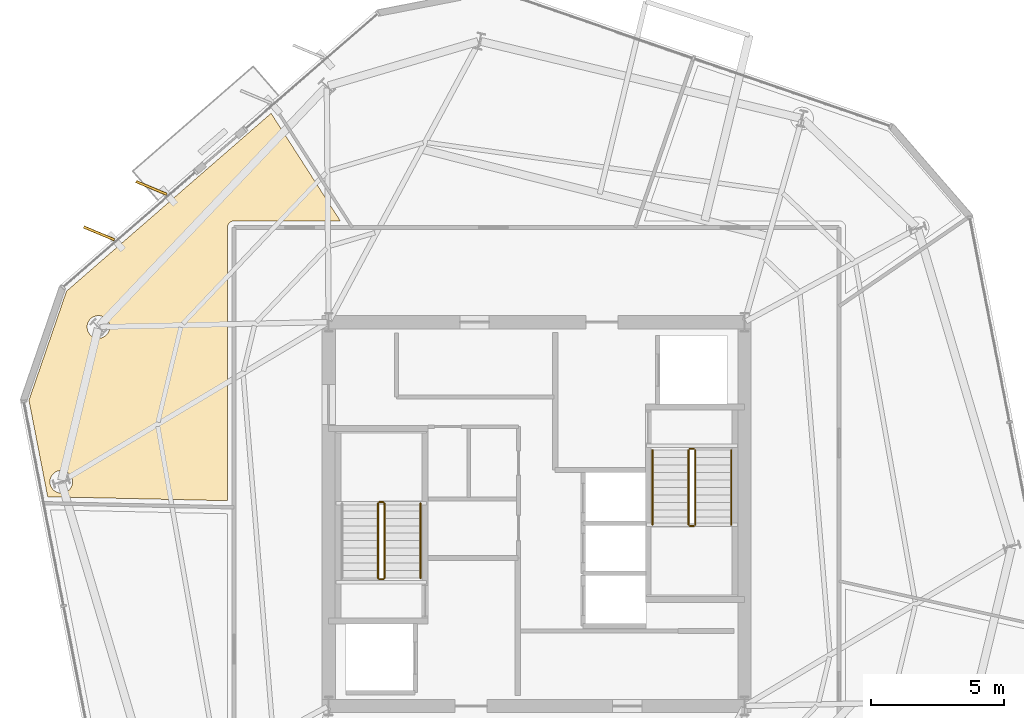
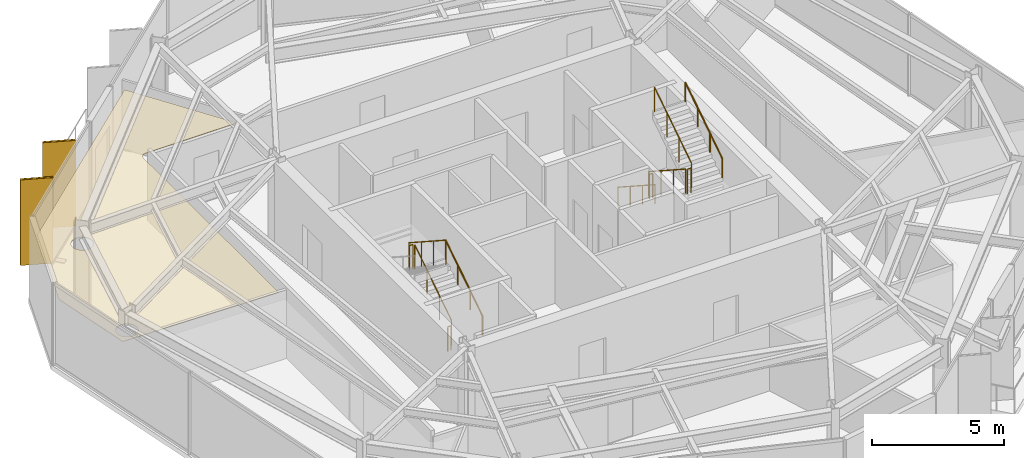
# One storey, part 10 of 11: 11 railings, 3 coverings, 2 shading devices.
"""IFC4 building model written with IfcOpenShell, lengths in metres."""

from ifc_helpers import new_model, si_unit, direction, frame, origin, origin_2d, place, context, subcontext, project, spatial, polyline, rectangle, circle, outline, extrude, material, layer, layer_set, type_object, element, save


model = new_model("IFC4")

# Units and contexts
model_context = context("Model", 3, precision=1e-05, world=origin(), true_north=direction((0.0, 1.0)))
body_context = subcontext(model_context, "Body", "Model", "MODEL_VIEW")
ifc_project = project(units=[si_unit("LENGTHUNIT", "METRE"), si_unit("AREAUNIT", "SQUARE_METRE"), si_unit("VOLUMEUNIT", "CUBIC_METRE"), si_unit("PLANEANGLEUNIT", "RADIAN"), si_unit("MASSUNIT", "GRAM", prefix="KILO")], contexts=[model_context])

# Site, building, storey
site_placement = place(None, origin())
site = spatial("IfcSite", under=ifc_project, at=site_placement, CompositionType="ELEMENT")
building_placement = place(site_placement, origin())
building = spatial("IfcBuilding", under=site, at=building_placement, Name="Kranzbogen Civic Tower", CompositionType="ELEMENT")
storey_placement = place(building_placement, frame((0.0, 0.0, 188.800048828125)))
storey = spatial("IfcBuildingStorey", under=building, at=storey_placement, Name="L45", CompositionType="ELEMENT", Elevation=188.800048828125)

# Coverings
ifc_material_1 = material(Name="Pale Anodised Aluminium", Category="aluminium")
ifc_layer_1 = layer(ifc_material_1, 0.02490234375, Name="Pale Anodised Aluminium")
ifc_layer_set_1 = layer_set([ifc_layer_1], Name="Pale Anodised Aluminium")
covering_type_1 = type_object("IfcCoveringType", Name="Anodised Aluminium Vertical Fin Cladding 25 mm", PredefinedType="CLADDING", material=ifc_layer_set_1)
for number, where, z_axis, x_axis, name in (
    (1, (10.553955078125, 37.23291015625, -0.14013671875), (0.0, 0.0, 1.0), (-0.922544824647, 0.385889940938, 0.0), "L45 vertical fin pale-metal cladding F2-4"),
    (2, (8.591064453125, 35.527099609375, -0.14013671875), (0.0, 0.0, 1.0), (-0.922544824647, 0.385889940938, 0.0), "L45 vertical fin pale-metal cladding F2-5"),
):
    element("IfcCovering", number, at=place(storey_placement, frame(where, z_axis=z_axis, x_axis=x_axis)), inside=storey, type_object=covering_type_1, Name=name, PredefinedType="CLADDING", context=body_context, shape_type="SweptSolid", body=[
        extrude(rectangle(XDim=1.25, YDim=0.10009765625, at=origin_2d()), origin(), (0.0, 0.0, 1.0), 3.9599609375),
    ])

# Shading devices
ifc_material_2 = material(Name="Anodised Bronze Aluminium", Category="aluminium")
shading_device_type = type_object("IfcShadingDeviceType", Name="Anodised Bronze Vertical Facade Fin 1250x80", PredefinedType="USERDEFINED", material=ifc_material_2)
for number, where, z_axis, x_axis, name in (
    (3, (10.553955078125, 37.23291015625, -0.14013671875), (0.0, 0.0, 1.0), (-0.922544824647, 0.385889940938, 0.0), "L45 vertical exterior shading fin F2-4"),
    (4, (8.591064453125, 35.527099609375, -0.14013671875), (0.0, 0.0, 1.0), (-0.922544824647, 0.385889940938, 0.0), "L45 vertical exterior shading fin F2-5"),
):
    element("IfcShadingDevice", number, at=place(storey_placement, frame(where, z_axis=z_axis, x_axis=x_axis)), inside=storey, type_object=shading_device_type, Name=name, ObjectType="FIN", PredefinedType="USERDEFINED", context=body_context, shape_type="SweptSolid", body=[
        extrude(rectangle(XDim=1.25, YDim=0.080078125, at=origin_2d()), origin(), (0.0, 0.0, 1.0), 3.9599609375),
    ])

# Railings
ifc_material_3 = material(Name="Steel S355", Category="steel")
railing_type_1 = type_object("IfcRailingType", Name="Internal Stair and Void Steel Guardrail 1150", PredefinedType="GUARDRAIL", material=ifc_material_3)
railing_1_placement = place(storey_placement, frame((19.300048828125, 22.60009765625, 0.181884765625)))
element("IfcRailing", 5, at=railing_1_placement, inside=storey, type_object=railing_type_1, Name="L45 ST-T1 stair guard 1", PredefinedType="GUARDRAIL", context=body_context, shape_type="SweptSolid", body=[
    extrude(circle(Radius=0.02392578125, at=origin_2d()), frame((0.0, 0.0, 1.1259765625), z_axis=(0.0, 0.83868413941, 0.544618136222), x_axis=(-1.0, 0.0, 0.0)), (0.0, 0.0, 1.0), 3.33837890625),
    extrude(circle(Radius=0.02099609375, at=origin_2d()), origin(), (0.0, 0.0, 1.0), 1.101806640625),
    extrude(circle(Radius=0.02099609375, at=origin_2d()), frame((0.0, 0.933349609375, 0.60595703125)), (0.0, 0.0, 1.0), 1.101806640625),
    extrude(circle(Radius=0.02099609375, at=origin_2d()), frame((0.0, 1.866455078125, 1.212158203125)), (0.0, 0.0, 1.0), 1.101806640625),
    extrude(circle(Radius=0.02099609375, at=origin_2d()), frame((0.0, 2.7998046875, 1.818115234375)), (0.0, 0.0, 1.0), 1.101806640625),
])
railing_2_placement = place(storey_placement, frame((19.25, 25.449951171875, 2.0)))
element("IfcRailing", 6, at=railing_2_placement, inside=storey, type_object=railing_type_1, Name="L45 ST-T1 stair guard 2", PredefinedType="GUARDRAIL", context=body_context, shape_type="SweptSolid", body=[
    extrude(circle(Radius=0.02392578125, at=origin_2d()), frame((0.0, 0.0, 1.1259765625), z_axis=(-1.0, 0.0, 0.0), x_axis=(0.0, -1.0, 0.0)), (0.0, 0.0, 1.0), 0.14990234375),
    extrude(circle(Radius=0.02099609375, at=origin_2d()), origin(), (0.0, 0.0, 1.0), 1.101806640625),
    extrude(circle(Radius=0.02099609375, at=origin_2d()), frame((-0.14990234375, 0.0, 0.0)), (0.0, 0.0, 1.0), 1.101806640625),
])
railing_3_placement = place(storey_placement, frame((19.050048828125, 25.39990234375, 2.181884765625)))
element("IfcRailing", 7, at=railing_3_placement, inside=storey, type_object=railing_type_1, Name="L45 ST-T1 stair guard 3", PredefinedType="GUARDRAIL", context=body_context, shape_type="SweptSolid", body=[
    extrude(circle(Radius=0.02392578125, at=origin_2d()), frame((0.0, 0.0, 1.1259765625), z_axis=(0.0, -0.83868413941, 0.544618136222), x_axis=(1.0, 0.0, 0.0)), (0.0, 0.0, 1.0), 3.33837890625),
    extrude(circle(Radius=0.02099609375, at=origin_2d()), origin(), (0.0, 0.0, 1.0), 1.101806640625),
    extrude(circle(Radius=0.02099609375, at=origin_2d()), frame((0.0, -0.933349609375, 0.60595703125)), (0.0, 0.0, 1.0), 1.101806640625),
    extrude(circle(Radius=0.02099609375, at=origin_2d()), frame((0.0, -1.866455078125, 1.212158203125)), (0.0, 0.0, 1.0), 1.101806640625),
    extrude(circle(Radius=0.02099609375, at=origin_2d()), frame((0.0, -2.7998046875, 1.818115234375)), (0.0, 0.0, 1.0), 1.101806640625),
])
railing_4_placement = place(storey_placement, frame((19.25, 22.550048828125, 0.0)))
element("IfcRailing", 8, at=railing_4_placement, inside=storey, type_object=railing_type_1, Name="L45 ST-T1 stair guard 4", PredefinedType="GUARDRAIL", context=body_context, shape_type="SweptSolid", body=[
    extrude(circle(Radius=0.02392578125, at=origin_2d()), frame((0.0, 0.0, 1.1259765625), z_axis=(-1.0, 0.0, 0.0), x_axis=(0.0, -1.0, 0.0)), (0.0, 0.0, 1.0), 0.14990234375),
    extrude(circle(Radius=0.02099609375, at=origin_2d()), origin(), (0.0, 0.0, 1.0), 1.101806640625),
    extrude(circle(Radius=0.02099609375, at=origin_2d()), frame((-0.14990234375, 0.0, 0.0)), (0.0, 0.0, 1.0), 1.101806640625),
])
railing_5_placement = place(storey_placement, frame((30.699951171875, 27.39990234375, 0.181884765625)))
element("IfcRailing", 9, at=railing_5_placement, inside=storey, type_object=railing_type_1, Name="L45 ST-T2 stair guard 1", PredefinedType="GUARDRAIL", context=body_context, shape_type="SweptSolid", body=[
    extrude(circle(Radius=0.02392578125, at=origin_2d()), frame((0.0, 0.0, 1.1259765625), z_axis=(0.0, -0.83868413941, 0.544618136222), x_axis=(1.0, 0.0, 0.0)), (0.0, 0.0, 1.0), 3.33837890625),
    extrude(circle(Radius=0.02099609375, at=origin_2d()), origin(), (0.0, 0.0, 1.0), 1.101806640625),
    extrude(circle(Radius=0.02099609375, at=origin_2d()), frame((0.0, -0.933349609375, 0.60595703125)), (0.0, 0.0, 1.0), 1.101806640625),
    extrude(circle(Radius=0.02099609375, at=origin_2d()), frame((0.0, -1.866455078125, 1.212158203125)), (0.0, 0.0, 1.0), 1.101806640625),
    extrude(circle(Radius=0.02099609375, at=origin_2d()), frame((0.0, -2.7998046875, 1.818115234375)), (0.0, 0.0, 1.0), 1.101806640625),
])
railing_6_placement = place(storey_placement, frame((30.75, 24.550048828125, 2.0)))
element("IfcRailing", 10, at=railing_6_placement, inside=storey, type_object=railing_type_1, Name="L45 ST-T2 stair guard 2", PredefinedType="GUARDRAIL", context=body_context, shape_type="SweptSolid", body=[
    extrude(circle(Radius=0.02392578125, at=origin_2d()), frame((0.0, 0.0, 1.1259765625), z_axis=(1.0, 0.0, 0.0), x_axis=(0.0, 1.0, 0.0)), (0.0, 0.0, 1.0), 0.14990234375),
    extrude(circle(Radius=0.02099609375, at=origin_2d()), origin(), (0.0, 0.0, 1.0), 1.101806640625),
    extrude(circle(Radius=0.02099609375, at=origin_2d()), frame((0.14990234375, 0.0, 0.0)), (0.0, 0.0, 1.0), 1.101806640625),
])
railing_7_placement = place(storey_placement, frame((30.949951171875, 24.60009765625, 2.181884765625)))
element("IfcRailing", 11, at=railing_7_placement, inside=storey, type_object=railing_type_1, Name="L45 ST-T2 stair guard 3", PredefinedType="GUARDRAIL", context=body_context, shape_type="SweptSolid", body=[
    extrude(circle(Radius=0.02392578125, at=origin_2d()), frame((0.0, 0.0, 1.1259765625), z_axis=(0.0, 0.83868413941, 0.544618136222), x_axis=(-1.0, 0.0, 0.0)), (0.0, 0.0, 1.0), 3.33837890625),
    extrude(circle(Radius=0.02099609375, at=origin_2d()), origin(), (0.0, 0.0, 1.0), 1.101806640625),
    extrude(circle(Radius=0.02099609375, at=origin_2d()), frame((0.0, 0.933349609375, 0.60595703125)), (0.0, 0.0, 1.0), 1.101806640625),
    extrude(circle(Radius=0.02099609375, at=origin_2d()), frame((0.0, 1.866455078125, 1.212158203125)), (0.0, 0.0, 1.0), 1.101806640625),
    extrude(circle(Radius=0.02099609375, at=origin_2d()), frame((0.0, 2.7998046875, 1.818115234375)), (0.0, 0.0, 1.0), 1.101806640625),
])
railing_8_placement = place(storey_placement, frame((30.75, 27.449951171875, 0.0)))
element("IfcRailing", 12, at=railing_8_placement, inside=storey, type_object=railing_type_1, Name="L45 ST-T2 stair guard 4", PredefinedType="GUARDRAIL", context=body_context, shape_type="SweptSolid", body=[
    extrude(circle(Radius=0.02392578125, at=origin_2d()), frame((0.0, 0.0, 1.1259765625), z_axis=(1.0, 0.0, 0.0), x_axis=(0.0, 1.0, 0.0)), (0.0, 0.0, 1.0), 0.14990234375),
    extrude(circle(Radius=0.02099609375, at=origin_2d()), origin(), (0.0, 0.0, 1.0), 1.101806640625),
    extrude(circle(Radius=0.02099609375, at=origin_2d()), frame((0.14990234375, 0.0, 0.0)), (0.0, 0.0, 1.0), 1.101806640625),
])

# Covering
ifc_material_4 = material(Name="Perforated Acoustic Gypsum Ceiling")
ifc_layer_2 = layer(ifc_material_4, 0.02490234375, Name="Perforated Acoustic Gypsum Ceiling")
ifc_layer_set_2 = layer_set([ifc_layer_2], Name="Perforated Acoustic Gypsum Ceiling")
covering_type_2 = type_object("IfcCoveringType", Name="Perforated Acoustic Mineral Ceiling Tile 25 mm", PredefinedType="CEILING", material=ifc_layer_set_2)
covering_placement = place(storey_placement, frame((0.0, 0.0, 2.89990234375)))
element("IfcCovering", 13, at=covering_placement, inside=storey, type_object=covering_type_2, Name="L45 Citizen Services Kiosk acoustic ceiling", PredefinedType="CEILING", context=body_context, shape_type="SweptSolid", body=[
    extrude(outline(polyline([(7.368896484375, 33.35791015625), (15.0439453125, 40.030029296875), (17.638916015625, 35.9951171875), (13.64990234375, 35.9951171875), (13.64111328125, 35.9951171875), (13.635009765625, 35.993896484375), (13.616943359375, 35.992919921875), (13.611083984375, 35.991943359375), (13.593994140625, 35.988037109375), (13.5869140625, 35.987060546875), (13.570068359375, 35.98193359375), (13.56396484375, 35.97998046875), (13.548095703125, 35.972900390625), (13.5419921875, 35.969970703125), (13.527099609375, 35.9619140625), (13.52099609375, 35.9580078125), (13.507080078125, 35.948974609375), (13.501953125, 35.945068359375), (13.488037109375, 35.93408203125), (13.48291015625, 35.928955078125), (13.470947265625, 35.9169921875), (13.466064453125, 35.912109375), (13.455078125, 35.89794921875), (13.450927734375, 35.89306640625), (13.44189453125, 35.87890625), (13.43798828125, 35.873046875), (13.429931640625, 35.85791015625), (13.427001953125, 35.85205078125), (13.419921875, 35.8359375), (13.41796875, 35.830078125), (13.4130859375, 35.81298828125), (13.412109375, 35.805908203125), (13.407958984375, 35.7890625), (13.406982421875, 35.782958984375), (13.406005859375, 35.764892578125), (13.405029296875, 35.759033203125), (13.405029296875, 35.75), (13.405029296875, 25.5), (6.6640625, 25.64892578125), (5.9609375, 29.26904296875), (7.368896484375, 33.35791015625)]), holes=[polyline([(7.56494140625, 26.0458984375), (7.547119140625, 26.008056640625), (7.52587890625, 25.972900390625), (7.5009765625, 25.93896484375), (7.472900390625, 25.907958984375), (7.44189453125, 25.8798828125), (7.407958984375, 25.85498046875), (7.373046875, 25.833984375), (7.3349609375, 25.81591796875), (7.2958984375, 25.802001953125), (7.2548828125, 25.7919921875), (7.214111328125, 25.785888671875), (7.172119140625, 25.783935546875), (7.1298828125, 25.785888671875), (7.089111328125, 25.7919921875), (7.048095703125, 25.802001953125), (7.009033203125, 25.81591796875), (6.970947265625, 25.833984375), (6.93603515625, 25.85498046875), (6.902099609375, 25.8798828125), (6.87109375, 25.907958984375), (6.843017578125, 25.93896484375), (6.818115234375, 25.972900390625), (6.797119140625, 26.008056640625), (6.779052734375, 26.0458984375), (6.764892578125, 26.0849609375), (6.7548828125, 26.1259765625), (6.7490234375, 26.1669921875), (6.7470703125, 26.208984375), (6.7490234375, 26.2509765625), (6.7548828125, 26.2919921875), (6.764892578125, 26.3330078125), (6.779052734375, 26.3720703125), (6.797119140625, 26.409912109375), (6.818115234375, 26.445068359375), (6.843017578125, 26.47900390625), (6.87109375, 26.510009765625), (6.902099609375, 26.5380859375), (6.93603515625, 26.56298828125), (6.970947265625, 26.583984375), (7.009033203125, 26.60205078125), (7.048095703125, 26.615966796875), (7.089111328125, 26.6259765625), (7.1298828125, 26.632080078125), (7.172119140625, 26.634033203125), (7.214111328125, 26.632080078125), (7.2548828125, 26.6259765625), (7.2958984375, 26.615966796875), (7.3349609375, 26.60205078125), (7.373046875, 26.583984375), (7.407958984375, 26.56298828125), (7.44189453125, 26.5380859375), (7.472900390625, 26.510009765625), (7.5009765625, 26.47900390625), (7.52587890625, 26.445068359375), (7.547119140625, 26.409912109375), (7.56494140625, 26.3720703125), (7.5791015625, 26.3330078125), (7.589111328125, 26.2919921875), (7.594970703125, 26.2509765625), (7.596923828125, 26.208984375), (7.594970703125, 26.1669921875), (7.589111328125, 26.1259765625), (7.5791015625, 26.0849609375), (7.56494140625, 26.0458984375)]), polyline([(8.9599609375, 31.85302734375), (8.94189453125, 31.81494140625), (8.9208984375, 31.780029296875), (8.89599609375, 31.74609375), (8.867919921875, 31.715087890625), (8.8369140625, 31.68701171875), (8.802978515625, 31.662109375), (8.76806640625, 31.64111328125), (8.72998046875, 31.623046875), (8.69091796875, 31.60888671875), (8.64990234375, 31.59912109375), (8.60888671875, 31.593017578125), (8.56689453125, 31.591064453125), (8.52490234375, 31.593017578125), (8.48388671875, 31.59912109375), (8.443115234375, 31.60888671875), (8.404052734375, 31.623046875), (8.365966796875, 31.64111328125), (8.3310546875, 31.662109375), (8.297119140625, 31.68701171875), (8.26611328125, 31.715087890625), (8.238037109375, 31.74609375), (8.212890625, 31.780029296875), (8.19189453125, 31.81494140625), (8.174072265625, 31.85302734375), (8.159912109375, 31.89208984375), (8.14990234375, 31.93310546875), (8.14404296875, 31.97412109375), (8.14208984375, 32.01611328125), (8.14404296875, 32.05810546875), (8.14990234375, 32.09912109375), (8.159912109375, 32.139892578125), (8.174072265625, 32.178955078125), (8.19189453125, 32.217041015625), (8.212890625, 32.251953125), (8.238037109375, 32.285888671875), (8.26611328125, 32.31689453125), (8.297119140625, 32.344970703125), (8.3310546875, 32.3701171875), (8.365966796875, 32.39111328125), (8.404052734375, 32.408935546875), (8.443115234375, 32.423095703125), (8.48388671875, 32.43310546875), (8.52490234375, 32.43896484375), (8.56689453125, 32.44091796875), (8.60888671875, 32.43896484375), (8.64990234375, 32.43310546875), (8.69091796875, 32.423095703125), (8.72998046875, 32.408935546875), (8.76806640625, 32.39111328125), (8.802978515625, 32.3701171875), (8.8369140625, 32.344970703125), (8.867919921875, 32.31689453125), (8.89599609375, 32.285888671875), (8.9208984375, 32.251953125), (8.94189453125, 32.217041015625), (8.9599609375, 32.178955078125), (8.97412109375, 32.139892578125), (8.98388671875, 32.09912109375), (8.989990234375, 32.05810546875), (8.991943359375, 32.01611328125), (8.989990234375, 31.97412109375), (8.98388671875, 31.93310546875), (8.97412109375, 31.89208984375), (8.9599609375, 31.85302734375)])]), origin(), (0.0, 0.0, 1.0), 0.025146484375),
])

# Railings
railing_type_2 = type_object("IfcRailingType", Name="Tubular Stainless Stair Wall Handrail 900", PredefinedType="HANDRAIL", material=ifc_material_1)
railing_9_placement = place(storey_placement, frame((20.64990234375, 22.60009765625, 0.181884765625)))
element("IfcRailing", 14, at=railing_9_placement, inside=storey, type_object=railing_type_2, Name="L45 ST-T1 stair handrail 1", PredefinedType="HANDRAIL", context=body_context, shape_type="SweptSolid", body=[
    extrude(circle(Radius=0.02392578125, at=origin_2d()), frame((0.0, 0.0, 0.8759765625), z_axis=(0.0, 0.83868413941, 0.544618136222), x_axis=(-1.0, 0.0, 0.0)), (0.0, 0.0, 1.0), 3.33837890625),
    extrude(circle(Radius=0.02099609375, at=origin_2d()), origin(), (0.0, 0.0, 1.0), 0.851806640625),
    extrude(circle(Radius=0.02099609375, at=origin_2d()), frame((0.0, 0.933349609375, 0.60595703125)), (0.0, 0.0, 1.0), 0.851806640625),
    extrude(circle(Radius=0.02099609375, at=origin_2d()), frame((0.0, 1.866455078125, 1.212158203125)), (0.0, 0.0, 1.0), 0.851806640625),
    extrude(circle(Radius=0.02099609375, at=origin_2d()), frame((0.0, 2.7998046875, 1.818115234375)), (0.0, 0.0, 1.0), 0.851806640625),
])
railing_10_placement = place(storey_placement, frame((29.35009765625, 27.39990234375, 0.181884765625)))
element("IfcRailing", 15, at=railing_10_placement, inside=storey, type_object=railing_type_2, Name="L45 ST-T2 stair handrail 1", PredefinedType="HANDRAIL", context=body_context, shape_type="SweptSolid", body=[
    extrude(circle(Radius=0.02392578125, at=origin_2d()), frame((0.0, 0.0, 0.8759765625), z_axis=(0.0, -0.83868413941, 0.544618136222), x_axis=(1.0, 0.0, 0.0)), (0.0, 0.0, 1.0), 3.33837890625),
    extrude(circle(Radius=0.02099609375, at=origin_2d()), origin(), (0.0, 0.0, 1.0), 0.851806640625),
    extrude(circle(Radius=0.02099609375, at=origin_2d()), frame((0.0, -0.933349609375, 0.60595703125)), (0.0, 0.0, 1.0), 0.851806640625),
    extrude(circle(Radius=0.02099609375, at=origin_2d()), frame((0.0, -1.866455078125, 1.212158203125)), (0.0, 0.0, 1.0), 0.851806640625),
    extrude(circle(Radius=0.02099609375, at=origin_2d()), frame((0.0, -2.7998046875, 1.818115234375)), (0.0, 0.0, 1.0), 0.851806640625),
])
railing_11_placement = place(storey_placement, frame((32.300048828125, 24.60009765625, 2.181884765625)))
element("IfcRailing", 16, at=railing_11_placement, inside=storey, type_object=railing_type_2, Name="L45 ST-T2 stair handrail 2", PredefinedType="HANDRAIL", context=body_context, shape_type="SweptSolid", body=[
    extrude(circle(Radius=0.02392578125, at=origin_2d()), frame((0.0, 0.0, 0.8759765625), z_axis=(0.0, 0.83868413941, 0.544618136222), x_axis=(-1.0, 0.0, 0.0)), (0.0, 0.0, 1.0), 3.33837890625),
    extrude(circle(Radius=0.02099609375, at=origin_2d()), origin(), (0.0, 0.0, 1.0), 0.851806640625),
    extrude(circle(Radius=0.02099609375, at=origin_2d()), frame((0.0, 0.933349609375, 0.60595703125)), (0.0, 0.0, 1.0), 0.851806640625),
    extrude(circle(Radius=0.02099609375, at=origin_2d()), frame((0.0, 1.866455078125, 1.212158203125)), (0.0, 0.0, 1.0), 0.851806640625),
    extrude(circle(Radius=0.02099609375, at=origin_2d()), frame((0.0, 2.7998046875, 1.818115234375)), (0.0, 0.0, 1.0), 0.851806640625),
])

save(model, "model.ifc")
